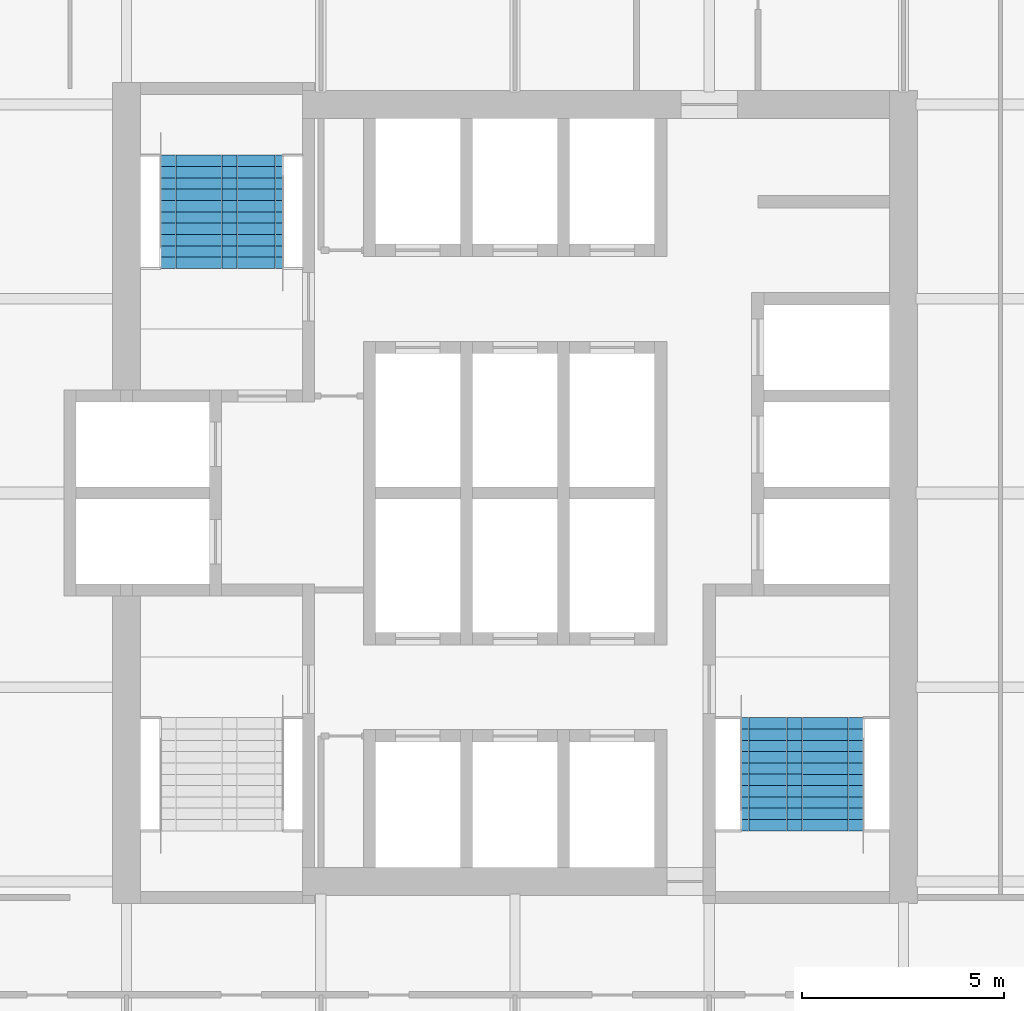
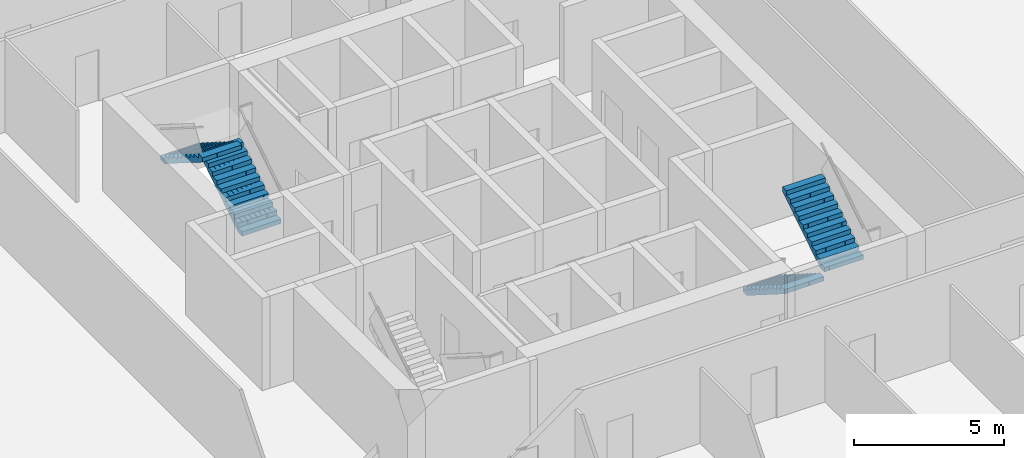
# One storey, part 13 of 15: 4 stair flights, 2 elements without a shape of their own.
"""IFC4 building model written with IfcOpenShell, lengths in metres."""

from ifc_helpers import new_model, si_unit, direction, frame, origin, place, context, subcontext, project, spatial, polyline, outline, extrude, material, type_object, element, aggregate, save


model = new_model("IFC4")

# Units and contexts
model_context = context("Model", 3, precision=1e-05, world=origin(), true_north=direction((0.0, 1.0)))
body_context = subcontext(model_context, "Body", "Model", "MODEL_VIEW")
ifc_project = project(units=[si_unit("LENGTHUNIT", "METRE"), si_unit("AREAUNIT", "SQUARE_METRE"), si_unit("VOLUMEUNIT", "CUBIC_METRE"), si_unit("PLANEANGLEUNIT", "RADIAN"), si_unit("MASSUNIT", "GRAM", prefix="KILO")], contexts=[model_context])

# Site, building, storey
site_placement = place(None, origin())
site = spatial("IfcSite", under=ifc_project, at=site_placement, CompositionType="ELEMENT")
building_placement = place(site_placement, origin())
building = spatial("IfcBuilding", under=site, at=building_placement, Name="Kolab Exchange Tower", CompositionType="ELEMENT")
storey_placement = place(building_placement, frame((0.0, 0.0, 185.60009765625)))
storey = spatial("IfcBuildingStorey", under=building, at=storey_placement, Name="L39", CompositionType="ELEMENT", Elevation=185.60009765625)

# Stair, stair flights
ifc_material = material(Name="Concrete C50/60", Category="concrete")
stair_type_1 = type_object("IfcStairType", Name="STAIR ST1 RISER 177.3", PredefinedType="HALF_TURN_STAIR", material=ifc_material)
stair_1_placement = place(storey_placement, origin())
stair_1 = element("IfcStair", 1, at=stair_1_placement, inside=storey, type_object=stair_type_1, Name="Stair 1", PredefinedType="HALF_TURN_STAIR")
stair_flight_type = type_object("IfcStairFlightType", Name="STAIR FLIGHT 1500 RISER 177.3", PredefinedType="STRAIGHT", material=ifc_material)
stair_flight_1_placement = place(storey_placement, frame((-6.489990234375, 5.550048828125, 0.0), z_axis=(0.0, 0.0, 1.0), x_axis=(0.0, 1.0, 0.0)))
stair_flight_1 = element("IfcStairFlight", 2, at=stair_flight_1_placement, type_object=stair_flight_type, Name="ST1 flight 1", NumberOfRisers=11, NumberOfTreads=10, PredefinedType="STRAIGHT", RiserHeight=0.177272727, TreadLength=0.28, context=body_context, shape_type="SweptSolid", body=[
    extrude(outline(polyline([(0.0, 0.0), (0.0, 0.17724609375), (0.280029296875, 0.17724609375), (0.280029296875, 0.3544921875), (0.56005859375, 0.3544921875), (0.56005859375, 0.53173828125), (0.840087890625, 0.53173828125), (0.840087890625, 0.708984375), (1.1201171875, 0.708984375), (1.1201171875, 0.886474609375), (1.39990234375, 0.886474609375), (1.39990234375, 1.063720703125), (1.679931640625, 1.063720703125), (1.679931640625, 1.240966796875), (1.9599609375, 1.240966796875), (1.9599609375, 1.418212890625), (2.239990234375, 1.418212890625), (2.239990234375, 1.595458984375), (2.52001953125, 1.595458984375), (2.52001953125, 1.772705078125), (2.800048828125, 1.772705078125), (2.800048828125, 1.949951171875), (2.800048828125, 1.59521484375), (0.2802734375, 0.0), (0.0, 0.0)])), frame((0.0, 0.75, 0.0), z_axis=(0.0, -1.0, 0.0), x_axis=(1.0, 0.0, 0.0)), (0.0, 0.0, 1.0), 0.185791015625),
    extrude(outline(polyline([(0.0, 0.0), (0.0, 0.17724609375), (0.280029296875, 0.17724609375), (0.280029296875, 0.3544921875), (0.56005859375, 0.3544921875), (0.56005859375, 0.53173828125), (0.840087890625, 0.53173828125), (0.840087890625, 0.708984375), (1.1201171875, 0.708984375), (1.1201171875, 0.886474609375), (1.39990234375, 0.886474609375), (1.39990234375, 1.063720703125), (1.679931640625, 1.063720703125), (1.679931640625, 1.240966796875), (1.9599609375, 1.240966796875), (1.9599609375, 1.418212890625), (2.239990234375, 1.418212890625), (2.239990234375, 1.595458984375), (2.52001953125, 1.595458984375), (2.52001953125, 1.772705078125), (2.800048828125, 1.772705078125), (2.800048828125, 1.949951171875), (2.800048828125, 1.59521484375), (0.2802734375, 0.0), (0.0, 0.0)])), frame((0.0, 0.562255859375, 0.0), z_axis=(0.0, -1.0, 0.0), x_axis=(1.0, 0.0, 0.0)), (0.0, 0.0, 1.0), 0.185791015625),
    extrude(outline(polyline([(0.0, 0.0), (0.0, 0.17724609375), (0.280029296875, 0.17724609375), (0.280029296875, 0.3544921875), (0.56005859375, 0.3544921875), (0.56005859375, 0.53173828125), (0.840087890625, 0.53173828125), (0.840087890625, 0.708984375), (1.1201171875, 0.708984375), (1.1201171875, 0.886474609375), (1.39990234375, 0.886474609375), (1.39990234375, 1.063720703125), (1.679931640625, 1.063720703125), (1.679931640625, 1.240966796875), (1.9599609375, 1.240966796875), (1.9599609375, 1.418212890625), (2.239990234375, 1.418212890625), (2.239990234375, 1.595458984375), (2.52001953125, 1.595458984375), (2.52001953125, 1.772705078125), (2.800048828125, 1.772705078125), (2.800048828125, 1.949951171875), (2.800048828125, 1.59521484375), (0.2802734375, 0.0), (0.0, 0.0)])), frame((0.0, 0.37451171875, 0.0), z_axis=(0.0, -1.0, 0.0), x_axis=(1.0, 0.0, 0.0)), (0.0, 0.0, 1.0), 0.185791015625),
    extrude(outline(polyline([(0.0, 0.0), (0.0, 0.17724609375), (0.280029296875, 0.17724609375), (0.280029296875, 0.3544921875), (0.56005859375, 0.3544921875), (0.56005859375, 0.53173828125), (0.840087890625, 0.53173828125), (0.840087890625, 0.708984375), (1.1201171875, 0.708984375), (1.1201171875, 0.886474609375), (1.39990234375, 0.886474609375), (1.39990234375, 1.063720703125), (1.679931640625, 1.063720703125), (1.679931640625, 1.240966796875), (1.9599609375, 1.240966796875), (1.9599609375, 1.418212890625), (2.239990234375, 1.418212890625), (2.239990234375, 1.595458984375), (2.52001953125, 1.595458984375), (2.52001953125, 1.772705078125), (2.800048828125, 1.772705078125), (2.800048828125, 1.949951171875), (2.800048828125, 1.59521484375), (0.2802734375, 0.0), (0.0, 0.0)])), frame((0.0, 0.186767578125, 0.0), z_axis=(0.0, -1.0, 0.0), x_axis=(1.0, 0.0, 0.0)), (0.0, 0.0, 1.0), 0.185791015625),
    extrude(outline(polyline([(0.0, 0.0), (0.0, 0.17724609375), (0.280029296875, 0.17724609375), (0.280029296875, 0.3544921875), (0.56005859375, 0.3544921875), (0.56005859375, 0.53173828125), (0.840087890625, 0.53173828125), (0.840087890625, 0.708984375), (1.1201171875, 0.708984375), (1.1201171875, 0.886474609375), (1.39990234375, 0.886474609375), (1.39990234375, 1.063720703125), (1.679931640625, 1.063720703125), (1.679931640625, 1.240966796875), (1.9599609375, 1.240966796875), (1.9599609375, 1.418212890625), (2.239990234375, 1.418212890625), (2.239990234375, 1.595458984375), (2.52001953125, 1.595458984375), (2.52001953125, 1.772705078125), (2.800048828125, 1.772705078125), (2.800048828125, 1.949951171875), (2.800048828125, 1.59521484375), (0.2802734375, 0.0), (0.0, 0.0)])), frame((0.0, -0.0009765625, 0.0), z_axis=(0.0, -1.0, 0.0), x_axis=(1.0, 0.0, 0.0)), (0.0, 0.0, 1.0), 0.185791015625),
    extrude(outline(polyline([(0.0, 0.0), (0.0, 0.17724609375), (0.280029296875, 0.17724609375), (0.280029296875, 0.3544921875), (0.56005859375, 0.3544921875), (0.56005859375, 0.53173828125), (0.840087890625, 0.53173828125), (0.840087890625, 0.708984375), (1.1201171875, 0.708984375), (1.1201171875, 0.886474609375), (1.39990234375, 0.886474609375), (1.39990234375, 1.063720703125), (1.679931640625, 1.063720703125), (1.679931640625, 1.240966796875), (1.9599609375, 1.240966796875), (1.9599609375, 1.418212890625), (2.239990234375, 1.418212890625), (2.239990234375, 1.595458984375), (2.52001953125, 1.595458984375), (2.52001953125, 1.772705078125), (2.800048828125, 1.772705078125), (2.800048828125, 1.949951171875), (2.800048828125, 1.59521484375), (0.2802734375, 0.0), (0.0, 0.0)])), frame((0.0, -0.188720703125, 0.0), z_axis=(0.0, -1.0, 0.0), x_axis=(1.0, 0.0, 0.0)), (0.0, 0.0, 1.0), 0.185791015625),
    extrude(outline(polyline([(0.0, 0.0), (0.0, 0.17724609375), (0.280029296875, 0.17724609375), (0.280029296875, 0.3544921875), (0.56005859375, 0.3544921875), (0.56005859375, 0.53173828125), (0.840087890625, 0.53173828125), (0.840087890625, 0.708984375), (1.1201171875, 0.708984375), (1.1201171875, 0.886474609375), (1.39990234375, 0.886474609375), (1.39990234375, 1.063720703125), (1.679931640625, 1.063720703125), (1.679931640625, 1.240966796875), (1.9599609375, 1.240966796875), (1.9599609375, 1.418212890625), (2.239990234375, 1.418212890625), (2.239990234375, 1.595458984375), (2.52001953125, 1.595458984375), (2.52001953125, 1.772705078125), (2.800048828125, 1.772705078125), (2.800048828125, 1.949951171875), (2.800048828125, 1.59521484375), (0.2802734375, 0.0), (0.0, 0.0)])), frame((0.0, -0.37646484375, 0.0), z_axis=(0.0, -1.0, 0.0), x_axis=(1.0, 0.0, 0.0)), (0.0, 0.0, 1.0), 0.185791015625),
    extrude(outline(polyline([(0.0, 0.0), (0.0, 0.17724609375), (0.280029296875, 0.17724609375), (0.280029296875, 0.3544921875), (0.56005859375, 0.3544921875), (0.56005859375, 0.53173828125), (0.840087890625, 0.53173828125), (0.840087890625, 0.708984375), (1.1201171875, 0.708984375), (1.1201171875, 0.886474609375), (1.39990234375, 0.886474609375), (1.39990234375, 1.063720703125), (1.679931640625, 1.063720703125), (1.679931640625, 1.240966796875), (1.9599609375, 1.240966796875), (1.9599609375, 1.418212890625), (2.239990234375, 1.418212890625), (2.239990234375, 1.595458984375), (2.52001953125, 1.595458984375), (2.52001953125, 1.772705078125), (2.800048828125, 1.772705078125), (2.800048828125, 1.949951171875), (2.800048828125, 1.59521484375), (0.2802734375, 0.0), (0.0, 0.0)])), frame((0.0, -0.564208984375, 0.0), z_axis=(0.0, -1.0, 0.0), x_axis=(1.0, 0.0, 0.0)), (0.0, 0.0, 1.0), 0.185791015625),
])
stair_flight_2_placement = place(storey_placement, frame((-8.010009765625, 8.35009765625, 1.949951171875), z_axis=(0.0, 0.0, 1.0), x_axis=(0.0, -1.0, 0.0)))
stair_flight_2 = element("IfcStairFlight", 3, at=stair_flight_2_placement, type_object=stair_flight_type, Name="ST1 flight 2", NumberOfRisers=11, NumberOfTreads=10, PredefinedType="STRAIGHT", RiserHeight=0.177272727, TreadLength=0.28, context=body_context, shape_type="SweptSolid", body=[
    extrude(outline(polyline([(0.0, 0.0), (0.0, 0.17724609375), (0.280029296875, 0.17724609375), (0.280029296875, 0.3544921875), (0.56005859375, 0.3544921875), (0.56005859375, 0.53173828125), (0.840087890625, 0.53173828125), (0.840087890625, 0.708984375), (1.1201171875, 0.708984375), (1.1201171875, 0.886474609375), (1.39990234375, 0.886474609375), (1.39990234375, 1.063720703125), (1.679931640625, 1.063720703125), (1.679931640625, 1.240966796875), (1.9599609375, 1.240966796875), (1.9599609375, 1.418212890625), (2.239990234375, 1.418212890625), (2.239990234375, 1.595458984375), (2.52001953125, 1.595458984375), (2.52001953125, 1.772705078125), (2.800048828125, 1.772705078125), (2.800048828125, 1.949951171875), (2.800048828125, 1.59521484375), (0.2802734375, 0.0), (0.0, 0.0)])), frame((0.0, 0.75, 0.0), z_axis=(0.0, -1.0, 0.0), x_axis=(1.0, 0.0, 0.0)), (0.0, 0.0, 1.0), 0.185791015625),
    extrude(outline(polyline([(0.0, 0.0), (0.0, 0.17724609375), (0.280029296875, 0.17724609375), (0.280029296875, 0.3544921875), (0.56005859375, 0.3544921875), (0.56005859375, 0.53173828125), (0.840087890625, 0.53173828125), (0.840087890625, 0.708984375), (1.1201171875, 0.708984375), (1.1201171875, 0.886474609375), (1.39990234375, 0.886474609375), (1.39990234375, 1.063720703125), (1.679931640625, 1.063720703125), (1.679931640625, 1.240966796875), (1.9599609375, 1.240966796875), (1.9599609375, 1.418212890625), (2.239990234375, 1.418212890625), (2.239990234375, 1.595458984375), (2.52001953125, 1.595458984375), (2.52001953125, 1.772705078125), (2.800048828125, 1.772705078125), (2.800048828125, 1.949951171875), (2.800048828125, 1.59521484375), (0.2802734375, 0.0), (0.0, 0.0)])), frame((0.0, 0.562255859375, 0.0), z_axis=(0.0, -1.0, 0.0), x_axis=(1.0, 0.0, 0.0)), (0.0, 0.0, 1.0), 0.185791015625),
    extrude(outline(polyline([(0.0, 0.0), (0.0, 0.17724609375), (0.280029296875, 0.17724609375), (0.280029296875, 0.3544921875), (0.56005859375, 0.3544921875), (0.56005859375, 0.53173828125), (0.840087890625, 0.53173828125), (0.840087890625, 0.708984375), (1.1201171875, 0.708984375), (1.1201171875, 0.886474609375), (1.39990234375, 0.886474609375), (1.39990234375, 1.063720703125), (1.679931640625, 1.063720703125), (1.679931640625, 1.240966796875), (1.9599609375, 1.240966796875), (1.9599609375, 1.418212890625), (2.239990234375, 1.418212890625), (2.239990234375, 1.595458984375), (2.52001953125, 1.595458984375), (2.52001953125, 1.772705078125), (2.800048828125, 1.772705078125), (2.800048828125, 1.949951171875), (2.800048828125, 1.59521484375), (0.2802734375, 0.0), (0.0, 0.0)])), frame((0.0, 0.37451171875, 0.0), z_axis=(0.0, -1.0, 0.0), x_axis=(1.0, 0.0, 0.0)), (0.0, 0.0, 1.0), 0.185791015625),
    extrude(outline(polyline([(0.0, 0.0), (0.0, 0.17724609375), (0.280029296875, 0.17724609375), (0.280029296875, 0.3544921875), (0.56005859375, 0.3544921875), (0.56005859375, 0.53173828125), (0.840087890625, 0.53173828125), (0.840087890625, 0.708984375), (1.1201171875, 0.708984375), (1.1201171875, 0.886474609375), (1.39990234375, 0.886474609375), (1.39990234375, 1.063720703125), (1.679931640625, 1.063720703125), (1.679931640625, 1.240966796875), (1.9599609375, 1.240966796875), (1.9599609375, 1.418212890625), (2.239990234375, 1.418212890625), (2.239990234375, 1.595458984375), (2.52001953125, 1.595458984375), (2.52001953125, 1.772705078125), (2.800048828125, 1.772705078125), (2.800048828125, 1.949951171875), (2.800048828125, 1.59521484375), (0.2802734375, 0.0), (0.0, 0.0)])), frame((0.0, 0.186767578125, 0.0), z_axis=(0.0, -1.0, 0.0), x_axis=(1.0, 0.0, 0.0)), (0.0, 0.0, 1.0), 0.185791015625),
    extrude(outline(polyline([(0.0, 0.0), (0.0, 0.17724609375), (0.280029296875, 0.17724609375), (0.280029296875, 0.3544921875), (0.56005859375, 0.3544921875), (0.56005859375, 0.53173828125), (0.840087890625, 0.53173828125), (0.840087890625, 0.708984375), (1.1201171875, 0.708984375), (1.1201171875, 0.886474609375), (1.39990234375, 0.886474609375), (1.39990234375, 1.063720703125), (1.679931640625, 1.063720703125), (1.679931640625, 1.240966796875), (1.9599609375, 1.240966796875), (1.9599609375, 1.418212890625), (2.239990234375, 1.418212890625), (2.239990234375, 1.595458984375), (2.52001953125, 1.595458984375), (2.52001953125, 1.772705078125), (2.800048828125, 1.772705078125), (2.800048828125, 1.949951171875), (2.800048828125, 1.59521484375), (0.2802734375, 0.0), (0.0, 0.0)])), frame((0.0, -0.0009765625, 0.0), z_axis=(0.0, -1.0, 0.0), x_axis=(1.0, 0.0, 0.0)), (0.0, 0.0, 1.0), 0.185791015625),
    extrude(outline(polyline([(0.0, 0.0), (0.0, 0.17724609375), (0.280029296875, 0.17724609375), (0.280029296875, 0.3544921875), (0.56005859375, 0.3544921875), (0.56005859375, 0.53173828125), (0.840087890625, 0.53173828125), (0.840087890625, 0.708984375), (1.1201171875, 0.708984375), (1.1201171875, 0.886474609375), (1.39990234375, 0.886474609375), (1.39990234375, 1.063720703125), (1.679931640625, 1.063720703125), (1.679931640625, 1.240966796875), (1.9599609375, 1.240966796875), (1.9599609375, 1.418212890625), (2.239990234375, 1.418212890625), (2.239990234375, 1.595458984375), (2.52001953125, 1.595458984375), (2.52001953125, 1.772705078125), (2.800048828125, 1.772705078125), (2.800048828125, 1.949951171875), (2.800048828125, 1.59521484375), (0.2802734375, 0.0), (0.0, 0.0)])), frame((0.0, -0.188720703125, 0.0), z_axis=(0.0, -1.0, 0.0), x_axis=(1.0, 0.0, 0.0)), (0.0, 0.0, 1.0), 0.185791015625),
    extrude(outline(polyline([(0.0, 0.0), (0.0, 0.17724609375), (0.280029296875, 0.17724609375), (0.280029296875, 0.3544921875), (0.56005859375, 0.3544921875), (0.56005859375, 0.53173828125), (0.840087890625, 0.53173828125), (0.840087890625, 0.708984375), (1.1201171875, 0.708984375), (1.1201171875, 0.886474609375), (1.39990234375, 0.886474609375), (1.39990234375, 1.063720703125), (1.679931640625, 1.063720703125), (1.679931640625, 1.240966796875), (1.9599609375, 1.240966796875), (1.9599609375, 1.418212890625), (2.239990234375, 1.418212890625), (2.239990234375, 1.595458984375), (2.52001953125, 1.595458984375), (2.52001953125, 1.772705078125), (2.800048828125, 1.772705078125), (2.800048828125, 1.949951171875), (2.800048828125, 1.59521484375), (0.2802734375, 0.0), (0.0, 0.0)])), frame((0.0, -0.37646484375, 0.0), z_axis=(0.0, -1.0, 0.0), x_axis=(1.0, 0.0, 0.0)), (0.0, 0.0, 1.0), 0.185791015625),
    extrude(outline(polyline([(0.0, 0.0), (0.0, 0.17724609375), (0.280029296875, 0.17724609375), (0.280029296875, 0.3544921875), (0.56005859375, 0.3544921875), (0.56005859375, 0.53173828125), (0.840087890625, 0.53173828125), (0.840087890625, 0.708984375), (1.1201171875, 0.708984375), (1.1201171875, 0.886474609375), (1.39990234375, 0.886474609375), (1.39990234375, 1.063720703125), (1.679931640625, 1.063720703125), (1.679931640625, 1.240966796875), (1.9599609375, 1.240966796875), (1.9599609375, 1.418212890625), (2.239990234375, 1.418212890625), (2.239990234375, 1.595458984375), (2.52001953125, 1.595458984375), (2.52001953125, 1.772705078125), (2.800048828125, 1.772705078125), (2.800048828125, 1.949951171875), (2.800048828125, 1.59521484375), (0.2802734375, 0.0), (0.0, 0.0)])), frame((0.0, -0.564208984375, 0.0), z_axis=(0.0, -1.0, 0.0), x_axis=(1.0, 0.0, 0.0)), (0.0, 0.0, 1.0), 0.185791015625),
])
aggregate(stair_1, [stair_flight_1, stair_flight_2])

stair_type_2 = type_object("IfcStairType", Name="STAIR ST2 RISER 177.3", PredefinedType="HALF_TURN_STAIR", material=ifc_material)
stair_2_placement = place(storey_placement, origin())
stair_2 = element("IfcStair", 4, at=stair_2_placement, inside=storey, type_object=stair_type_2, Name="Stair 2", PredefinedType="HALF_TURN_STAIR")
stair_flight_3_placement = place(storey_placement, frame((6.340087890625, -5.550048828125, 0.0), z_axis=(0.0, 0.0, 1.0), x_axis=(0.0, -1.0, 0.0)))
stair_flight_3 = element("IfcStairFlight", 5, at=stair_flight_3_placement, type_object=stair_flight_type, Name="ST2 flight 1", NumberOfRisers=11, NumberOfTreads=10, PredefinedType="STRAIGHT", RiserHeight=0.177272727, TreadLength=0.28, context=body_context, shape_type="SweptSolid", body=[
    extrude(outline(polyline([(0.0, 0.0), (0.0, 0.17724609375), (0.280029296875, 0.17724609375), (0.280029296875, 0.3544921875), (0.56005859375, 0.3544921875), (0.56005859375, 0.53173828125), (0.840087890625, 0.53173828125), (0.840087890625, 0.708984375), (1.1201171875, 0.708984375), (1.1201171875, 0.886474609375), (1.39990234375, 0.886474609375), (1.39990234375, 1.063720703125), (1.679931640625, 1.063720703125), (1.679931640625, 1.240966796875), (1.9599609375, 1.240966796875), (1.9599609375, 1.418212890625), (2.239990234375, 1.418212890625), (2.239990234375, 1.595458984375), (2.52001953125, 1.595458984375), (2.52001953125, 1.772705078125), (2.800048828125, 1.772705078125), (2.800048828125, 1.949951171875), (2.800048828125, 1.59521484375), (0.2802734375, 0.0), (0.0, 0.0)])), frame((0.0, 0.75, 0.0), z_axis=(0.0, -1.0, 0.0), x_axis=(1.0, 0.0, 0.0)), (0.0, 0.0, 1.0), 0.185791015625),
    extrude(outline(polyline([(0.0, 0.0), (0.0, 0.17724609375), (0.280029296875, 0.17724609375), (0.280029296875, 0.3544921875), (0.56005859375, 0.3544921875), (0.56005859375, 0.53173828125), (0.840087890625, 0.53173828125), (0.840087890625, 0.708984375), (1.1201171875, 0.708984375), (1.1201171875, 0.886474609375), (1.39990234375, 0.886474609375), (1.39990234375, 1.063720703125), (1.679931640625, 1.063720703125), (1.679931640625, 1.240966796875), (1.9599609375, 1.240966796875), (1.9599609375, 1.418212890625), (2.239990234375, 1.418212890625), (2.239990234375, 1.595458984375), (2.52001953125, 1.595458984375), (2.52001953125, 1.772705078125), (2.800048828125, 1.772705078125), (2.800048828125, 1.949951171875), (2.800048828125, 1.59521484375), (0.2802734375, 0.0), (0.0, 0.0)])), frame((0.0, 0.562255859375, 0.0), z_axis=(0.0, -1.0, 0.0), x_axis=(1.0, 0.0, 0.0)), (0.0, 0.0, 1.0), 0.185791015625),
    extrude(outline(polyline([(0.0, 0.0), (0.0, 0.17724609375), (0.280029296875, 0.17724609375), (0.280029296875, 0.3544921875), (0.56005859375, 0.3544921875), (0.56005859375, 0.53173828125), (0.840087890625, 0.53173828125), (0.840087890625, 0.708984375), (1.1201171875, 0.708984375), (1.1201171875, 0.886474609375), (1.39990234375, 0.886474609375), (1.39990234375, 1.063720703125), (1.679931640625, 1.063720703125), (1.679931640625, 1.240966796875), (1.9599609375, 1.240966796875), (1.9599609375, 1.418212890625), (2.239990234375, 1.418212890625), (2.239990234375, 1.595458984375), (2.52001953125, 1.595458984375), (2.52001953125, 1.772705078125), (2.800048828125, 1.772705078125), (2.800048828125, 1.949951171875), (2.800048828125, 1.59521484375), (0.2802734375, 0.0), (0.0, 0.0)])), frame((0.0, 0.37451171875, 0.0), z_axis=(0.0, -1.0, 0.0), x_axis=(1.0, 0.0, 0.0)), (0.0, 0.0, 1.0), 0.185791015625),
    extrude(outline(polyline([(0.0, 0.0), (0.0, 0.17724609375), (0.280029296875, 0.17724609375), (0.280029296875, 0.3544921875), (0.56005859375, 0.3544921875), (0.56005859375, 0.53173828125), (0.840087890625, 0.53173828125), (0.840087890625, 0.708984375), (1.1201171875, 0.708984375), (1.1201171875, 0.886474609375), (1.39990234375, 0.886474609375), (1.39990234375, 1.063720703125), (1.679931640625, 1.063720703125), (1.679931640625, 1.240966796875), (1.9599609375, 1.240966796875), (1.9599609375, 1.418212890625), (2.239990234375, 1.418212890625), (2.239990234375, 1.595458984375), (2.52001953125, 1.595458984375), (2.52001953125, 1.772705078125), (2.800048828125, 1.772705078125), (2.800048828125, 1.949951171875), (2.800048828125, 1.59521484375), (0.2802734375, 0.0), (0.0, 0.0)])), frame((0.0, 0.186767578125, 0.0), z_axis=(0.0, -1.0, 0.0), x_axis=(1.0, 0.0, 0.0)), (0.0, 0.0, 1.0), 0.185791015625),
    extrude(outline(polyline([(0.0, 0.0), (0.0, 0.17724609375), (0.280029296875, 0.17724609375), (0.280029296875, 0.3544921875), (0.56005859375, 0.3544921875), (0.56005859375, 0.53173828125), (0.840087890625, 0.53173828125), (0.840087890625, 0.708984375), (1.1201171875, 0.708984375), (1.1201171875, 0.886474609375), (1.39990234375, 0.886474609375), (1.39990234375, 1.063720703125), (1.679931640625, 1.063720703125), (1.679931640625, 1.240966796875), (1.9599609375, 1.240966796875), (1.9599609375, 1.418212890625), (2.239990234375, 1.418212890625), (2.239990234375, 1.595458984375), (2.52001953125, 1.595458984375), (2.52001953125, 1.772705078125), (2.800048828125, 1.772705078125), (2.800048828125, 1.949951171875), (2.800048828125, 1.59521484375), (0.2802734375, 0.0), (0.0, 0.0)])), frame((0.0, -0.0009765625, 0.0), z_axis=(0.0, -1.0, 0.0), x_axis=(1.0, 0.0, 0.0)), (0.0, 0.0, 1.0), 0.185791015625),
    extrude(outline(polyline([(0.0, 0.0), (0.0, 0.17724609375), (0.280029296875, 0.17724609375), (0.280029296875, 0.3544921875), (0.56005859375, 0.3544921875), (0.56005859375, 0.53173828125), (0.840087890625, 0.53173828125), (0.840087890625, 0.708984375), (1.1201171875, 0.708984375), (1.1201171875, 0.886474609375), (1.39990234375, 0.886474609375), (1.39990234375, 1.063720703125), (1.679931640625, 1.063720703125), (1.679931640625, 1.240966796875), (1.9599609375, 1.240966796875), (1.9599609375, 1.418212890625), (2.239990234375, 1.418212890625), (2.239990234375, 1.595458984375), (2.52001953125, 1.595458984375), (2.52001953125, 1.772705078125), (2.800048828125, 1.772705078125), (2.800048828125, 1.949951171875), (2.800048828125, 1.59521484375), (0.2802734375, 0.0), (0.0, 0.0)])), frame((0.0, -0.188720703125, 0.0), z_axis=(0.0, -1.0, 0.0), x_axis=(1.0, 0.0, 0.0)), (0.0, 0.0, 1.0), 0.185791015625),
    extrude(outline(polyline([(0.0, 0.0), (0.0, 0.17724609375), (0.280029296875, 0.17724609375), (0.280029296875, 0.3544921875), (0.56005859375, 0.3544921875), (0.56005859375, 0.53173828125), (0.840087890625, 0.53173828125), (0.840087890625, 0.708984375), (1.1201171875, 0.708984375), (1.1201171875, 0.886474609375), (1.39990234375, 0.886474609375), (1.39990234375, 1.063720703125), (1.679931640625, 1.063720703125), (1.679931640625, 1.240966796875), (1.9599609375, 1.240966796875), (1.9599609375, 1.418212890625), (2.239990234375, 1.418212890625), (2.239990234375, 1.595458984375), (2.52001953125, 1.595458984375), (2.52001953125, 1.772705078125), (2.800048828125, 1.772705078125), (2.800048828125, 1.949951171875), (2.800048828125, 1.59521484375), (0.2802734375, 0.0), (0.0, 0.0)])), frame((0.0, -0.37646484375, 0.0), z_axis=(0.0, -1.0, 0.0), x_axis=(1.0, 0.0, 0.0)), (0.0, 0.0, 1.0), 0.185791015625),
    extrude(outline(polyline([(0.0, 0.0), (0.0, 0.17724609375), (0.280029296875, 0.17724609375), (0.280029296875, 0.3544921875), (0.56005859375, 0.3544921875), (0.56005859375, 0.53173828125), (0.840087890625, 0.53173828125), (0.840087890625, 0.708984375), (1.1201171875, 0.708984375), (1.1201171875, 0.886474609375), (1.39990234375, 0.886474609375), (1.39990234375, 1.063720703125), (1.679931640625, 1.063720703125), (1.679931640625, 1.240966796875), (1.9599609375, 1.240966796875), (1.9599609375, 1.418212890625), (2.239990234375, 1.418212890625), (2.239990234375, 1.595458984375), (2.52001953125, 1.595458984375), (2.52001953125, 1.772705078125), (2.800048828125, 1.772705078125), (2.800048828125, 1.949951171875), (2.800048828125, 1.59521484375), (0.2802734375, 0.0), (0.0, 0.0)])), frame((0.0, -0.564208984375, 0.0), z_axis=(0.0, -1.0, 0.0), x_axis=(1.0, 0.0, 0.0)), (0.0, 0.0, 1.0), 0.185791015625),
])
stair_flight_4_placement = place(storey_placement, frame((7.860107421875, -8.35009765625, 1.949951171875), z_axis=(0.0, 0.0, 1.0), x_axis=(0.0, 1.0, 0.0)))
stair_flight_4 = element("IfcStairFlight", 6, at=stair_flight_4_placement, type_object=stair_flight_type, Name="ST2 flight 2", NumberOfRisers=11, NumberOfTreads=10, PredefinedType="STRAIGHT", RiserHeight=0.177272727, TreadLength=0.28, context=body_context, shape_type="SweptSolid", body=[
    extrude(outline(polyline([(0.0, 0.0), (0.0, 0.17724609375), (0.280029296875, 0.17724609375), (0.280029296875, 0.3544921875), (0.56005859375, 0.3544921875), (0.56005859375, 0.53173828125), (0.840087890625, 0.53173828125), (0.840087890625, 0.708984375), (1.1201171875, 0.708984375), (1.1201171875, 0.886474609375), (1.39990234375, 0.886474609375), (1.39990234375, 1.063720703125), (1.679931640625, 1.063720703125), (1.679931640625, 1.240966796875), (1.9599609375, 1.240966796875), (1.9599609375, 1.418212890625), (2.239990234375, 1.418212890625), (2.239990234375, 1.595458984375), (2.52001953125, 1.595458984375), (2.52001953125, 1.772705078125), (2.800048828125, 1.772705078125), (2.800048828125, 1.949951171875), (2.800048828125, 1.59521484375), (0.2802734375, 0.0), (0.0, 0.0)])), frame((0.0, 0.75, 0.0), z_axis=(0.0, -1.0, 0.0), x_axis=(1.0, 0.0, 0.0)), (0.0, 0.0, 1.0), 0.185791015625),
    extrude(outline(polyline([(0.0, 0.0), (0.0, 0.17724609375), (0.280029296875, 0.17724609375), (0.280029296875, 0.3544921875), (0.56005859375, 0.3544921875), (0.56005859375, 0.53173828125), (0.840087890625, 0.53173828125), (0.840087890625, 0.708984375), (1.1201171875, 0.708984375), (1.1201171875, 0.886474609375), (1.39990234375, 0.886474609375), (1.39990234375, 1.063720703125), (1.679931640625, 1.063720703125), (1.679931640625, 1.240966796875), (1.9599609375, 1.240966796875), (1.9599609375, 1.418212890625), (2.239990234375, 1.418212890625), (2.239990234375, 1.595458984375), (2.52001953125, 1.595458984375), (2.52001953125, 1.772705078125), (2.800048828125, 1.772705078125), (2.800048828125, 1.949951171875), (2.800048828125, 1.59521484375), (0.2802734375, 0.0), (0.0, 0.0)])), frame((0.0, 0.562255859375, 0.0), z_axis=(0.0, -1.0, 0.0), x_axis=(1.0, 0.0, 0.0)), (0.0, 0.0, 1.0), 0.185791015625),
    extrude(outline(polyline([(0.0, 0.0), (0.0, 0.17724609375), (0.280029296875, 0.17724609375), (0.280029296875, 0.3544921875), (0.56005859375, 0.3544921875), (0.56005859375, 0.53173828125), (0.840087890625, 0.53173828125), (0.840087890625, 0.708984375), (1.1201171875, 0.708984375), (1.1201171875, 0.886474609375), (1.39990234375, 0.886474609375), (1.39990234375, 1.063720703125), (1.679931640625, 1.063720703125), (1.679931640625, 1.240966796875), (1.9599609375, 1.240966796875), (1.9599609375, 1.418212890625), (2.239990234375, 1.418212890625), (2.239990234375, 1.595458984375), (2.52001953125, 1.595458984375), (2.52001953125, 1.772705078125), (2.800048828125, 1.772705078125), (2.800048828125, 1.949951171875), (2.800048828125, 1.59521484375), (0.2802734375, 0.0), (0.0, 0.0)])), frame((0.0, 0.37451171875, 0.0), z_axis=(0.0, -1.0, 0.0), x_axis=(1.0, 0.0, 0.0)), (0.0, 0.0, 1.0), 0.185791015625),
    extrude(outline(polyline([(0.0, 0.0), (0.0, 0.17724609375), (0.280029296875, 0.17724609375), (0.280029296875, 0.3544921875), (0.56005859375, 0.3544921875), (0.56005859375, 0.53173828125), (0.840087890625, 0.53173828125), (0.840087890625, 0.708984375), (1.1201171875, 0.708984375), (1.1201171875, 0.886474609375), (1.39990234375, 0.886474609375), (1.39990234375, 1.063720703125), (1.679931640625, 1.063720703125), (1.679931640625, 1.240966796875), (1.9599609375, 1.240966796875), (1.9599609375, 1.418212890625), (2.239990234375, 1.418212890625), (2.239990234375, 1.595458984375), (2.52001953125, 1.595458984375), (2.52001953125, 1.772705078125), (2.800048828125, 1.772705078125), (2.800048828125, 1.949951171875), (2.800048828125, 1.59521484375), (0.2802734375, 0.0), (0.0, 0.0)])), frame((0.0, 0.186767578125, 0.0), z_axis=(0.0, -1.0, 0.0), x_axis=(1.0, 0.0, 0.0)), (0.0, 0.0, 1.0), 0.185791015625),
    extrude(outline(polyline([(0.0, 0.0), (0.0, 0.17724609375), (0.280029296875, 0.17724609375), (0.280029296875, 0.3544921875), (0.56005859375, 0.3544921875), (0.56005859375, 0.53173828125), (0.840087890625, 0.53173828125), (0.840087890625, 0.708984375), (1.1201171875, 0.708984375), (1.1201171875, 0.886474609375), (1.39990234375, 0.886474609375), (1.39990234375, 1.063720703125), (1.679931640625, 1.063720703125), (1.679931640625, 1.240966796875), (1.9599609375, 1.240966796875), (1.9599609375, 1.418212890625), (2.239990234375, 1.418212890625), (2.239990234375, 1.595458984375), (2.52001953125, 1.595458984375), (2.52001953125, 1.772705078125), (2.800048828125, 1.772705078125), (2.800048828125, 1.949951171875), (2.800048828125, 1.59521484375), (0.2802734375, 0.0), (0.0, 0.0)])), frame((0.0, -0.0009765625, 0.0), z_axis=(0.0, -1.0, 0.0), x_axis=(1.0, 0.0, 0.0)), (0.0, 0.0, 1.0), 0.185791015625),
    extrude(outline(polyline([(0.0, 0.0), (0.0, 0.17724609375), (0.280029296875, 0.17724609375), (0.280029296875, 0.3544921875), (0.56005859375, 0.3544921875), (0.56005859375, 0.53173828125), (0.840087890625, 0.53173828125), (0.840087890625, 0.708984375), (1.1201171875, 0.708984375), (1.1201171875, 0.886474609375), (1.39990234375, 0.886474609375), (1.39990234375, 1.063720703125), (1.679931640625, 1.063720703125), (1.679931640625, 1.240966796875), (1.9599609375, 1.240966796875), (1.9599609375, 1.418212890625), (2.239990234375, 1.418212890625), (2.239990234375, 1.595458984375), (2.52001953125, 1.595458984375), (2.52001953125, 1.772705078125), (2.800048828125, 1.772705078125), (2.800048828125, 1.949951171875), (2.800048828125, 1.59521484375), (0.2802734375, 0.0), (0.0, 0.0)])), frame((0.0, -0.188720703125, 0.0), z_axis=(0.0, -1.0, 0.0), x_axis=(1.0, 0.0, 0.0)), (0.0, 0.0, 1.0), 0.185791015625),
    extrude(outline(polyline([(0.0, 0.0), (0.0, 0.17724609375), (0.280029296875, 0.17724609375), (0.280029296875, 0.3544921875), (0.56005859375, 0.3544921875), (0.56005859375, 0.53173828125), (0.840087890625, 0.53173828125), (0.840087890625, 0.708984375), (1.1201171875, 0.708984375), (1.1201171875, 0.886474609375), (1.39990234375, 0.886474609375), (1.39990234375, 1.063720703125), (1.679931640625, 1.063720703125), (1.679931640625, 1.240966796875), (1.9599609375, 1.240966796875), (1.9599609375, 1.418212890625), (2.239990234375, 1.418212890625), (2.239990234375, 1.595458984375), (2.52001953125, 1.595458984375), (2.52001953125, 1.772705078125), (2.800048828125, 1.772705078125), (2.800048828125, 1.949951171875), (2.800048828125, 1.59521484375), (0.2802734375, 0.0), (0.0, 0.0)])), frame((0.0, -0.37646484375, 0.0), z_axis=(0.0, -1.0, 0.0), x_axis=(1.0, 0.0, 0.0)), (0.0, 0.0, 1.0), 0.185791015625),
    extrude(outline(polyline([(0.0, 0.0), (0.0, 0.17724609375), (0.280029296875, 0.17724609375), (0.280029296875, 0.3544921875), (0.56005859375, 0.3544921875), (0.56005859375, 0.53173828125), (0.840087890625, 0.53173828125), (0.840087890625, 0.708984375), (1.1201171875, 0.708984375), (1.1201171875, 0.886474609375), (1.39990234375, 0.886474609375), (1.39990234375, 1.063720703125), (1.679931640625, 1.063720703125), (1.679931640625, 1.240966796875), (1.9599609375, 1.240966796875), (1.9599609375, 1.418212890625), (2.239990234375, 1.418212890625), (2.239990234375, 1.595458984375), (2.52001953125, 1.595458984375), (2.52001953125, 1.772705078125), (2.800048828125, 1.772705078125), (2.800048828125, 1.949951171875), (2.800048828125, 1.59521484375), (0.2802734375, 0.0), (0.0, 0.0)])), frame((0.0, -0.564208984375, 0.0), z_axis=(0.0, -1.0, 0.0), x_axis=(1.0, 0.0, 0.0)), (0.0, 0.0, 1.0), 0.185791015625),
])
aggregate(stair_2, [stair_flight_3, stair_flight_4])

save(model, "model.ifc")
